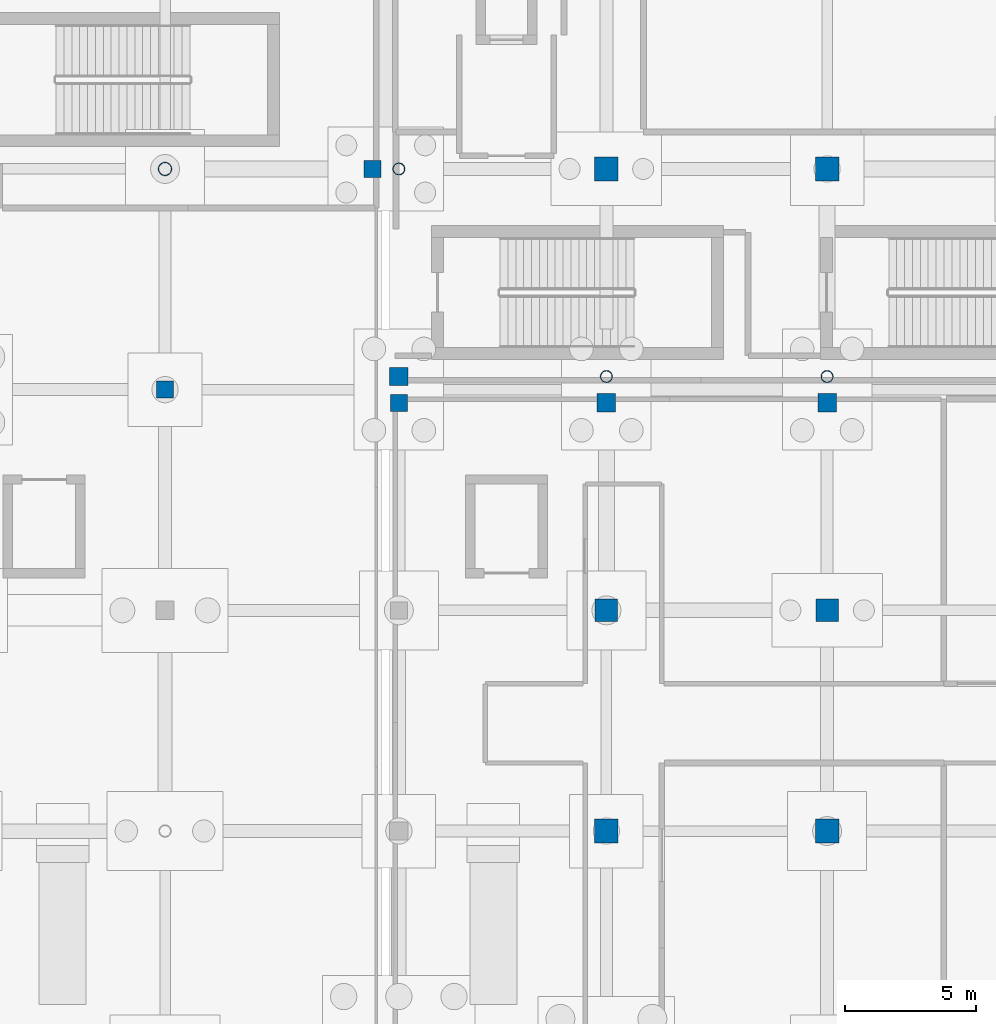
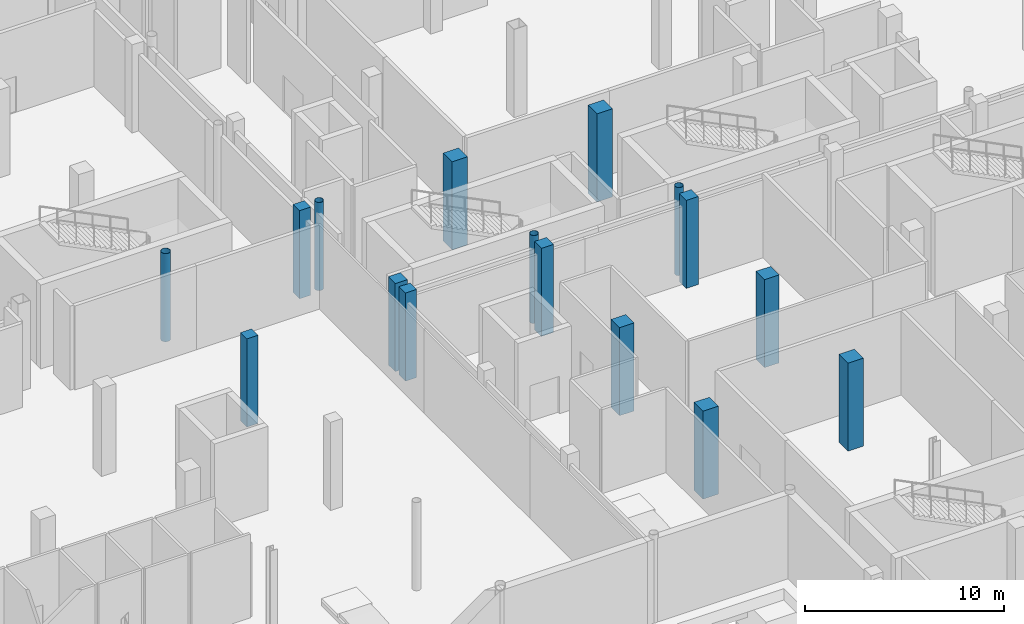
# One storey, part 11 of 49: 16 columns.
"""IFC4 building model written with IfcOpenShell, lengths in metres."""

import ifcopenshell
import ifcopenshell.guid

model = None  # the IFC model being written
_history = None  # IfcOwnerHistory: only IFC2X3 demands one
_inside = {}  # id of a spatial element -> (the spatial element, [elements in it])
_under = {}  # id of a project, library or spatial element -> (it, [spatial elements below it])
_declared = {}  # id of a project -> (the project, [libraries it declares])
_typed = {}  # id of a type object -> (the type object, [elements of that type])
_made_of = {}  # id of a material, layer set ... -> (it, [elements and type objects made of it])


def new_model(schema):
    """Start an empty IFC model of exactly this schema.

    Asked for "IFC4X3", IfcOpenShell would pick the latest addendum, in which some entities
    have other attributes; the version numbers below select the first issue.
    IFC2X3 requires an IfcOwnerHistory on every rooted entity: one is made here for all.
    """
    global model, _history
    if schema == "IFC4X3":
        model = ifcopenshell.file(schema_version=(4, 3, 0, 0))
    else:
        model = ifcopenshell.file(schema=schema)
    _inside.clear()
    _under.clear()
    _declared.clear()
    _typed.clear()
    _made_of.clear()
    _history = None
    if model.schema == "IFC2X3":
        org = make("IfcOrganization", Name="unknown")
        user = make(
            "IfcPersonAndOrganization",
            ThePerson=make("IfcPerson", FamilyName="unknown"),
            TheOrganization=org,
        )
        app = make(
            "IfcApplication",
            ApplicationDeveloper=org,
            Version="unknown",
            ApplicationFullName="unknown",
            ApplicationIdentifier="unknown",
        )
        _history = make(
            "IfcOwnerHistory",
            OwningUser=user,
            OwningApplication=app,
            ChangeAction="ADDED",
            CreationDate=0,
        )
    return model


def make(cls, **values):
    """One entity of the class cls with the attributes given. An attribute that is None is left unset."""
    return model.create_entity(
        cls, **{name: value for name, value in values.items() if value is not None}
    )


def rooted(cls, **values):
    """An entity with a GlobalId (a new one), such as an element, a storey or a relation."""
    return make(cls, GlobalId=ifcopenshell.guid.new(), OwnerHistory=_history, **values)


def si_unit(unit_type, name, prefix=None):
    """IfcSIUnit, for example si_unit("LENGTHUNIT", "METRE", prefix="MILLI")."""
    return make("IfcSIUnit", UnitType=unit_type, Prefix=prefix, Name=name)


def assignment(units):
    """IfcUnitAssignment: the units of a project."""
    return None if units is None else make("IfcUnitAssignment", Units=units)


def point(xyz):
    """IfcCartesianPoint."""
    return None if xyz is None else make("IfcCartesianPoint", Coordinates=xyz)


def direction(xyz):
    """IfcDirection."""
    return None if xyz is None else make("IfcDirection", DirectionRatios=xyz)


def frame(location, z_axis=None, x_axis=None):
    """IfcAxis2Placement3D, a coordinate frame: its origin and axes. An axis left out is left unset."""
    return make(
        "IfcAxis2Placement3D",
        Location=point(location),
        Axis=direction(z_axis),
        RefDirection=direction(x_axis),
    )


def frame_2d(location, x_axis=None):
    """IfcAxis2Placement2D, a coordinate frame in the plane: its origin and x axis."""
    return make(
        "IfcAxis2Placement2D", Location=point(location), RefDirection=direction(x_axis)
    )


def origin():
    """The frame at (0, 0, 0) with its axes left unset."""
    return frame((0.0, 0.0, 0.0))


def origin_2d():
    """The frame at (0, 0) in the plane with its x axis left unset."""
    return frame_2d((0.0, 0.0))


def place(relative_to, where):
    """IfcLocalPlacement: puts the frame where relative to a parent placement (None: the world)."""
    return make(
        "IfcLocalPlacement", PlacementRelTo=relative_to, RelativePlacement=where
    )


def context(
    kind, dimensions, precision=None, world=None, true_north=None, identifier=None
):
    """IfcGeometricRepresentationContext, for example the 3D "Model" context."""
    return make(
        "IfcGeometricRepresentationContext",
        ContextIdentifier=identifier,
        ContextType=kind,
        CoordinateSpaceDimension=dimensions,
        Precision=precision,
        WorldCoordinateSystem=world,
        TrueNorth=true_north,
    )


def subcontext(parent, identifier, kind, view, scale=None):
    """IfcGeometricRepresentationSubContext, for example "Body" below "Model"."""
    return make(
        "IfcGeometricRepresentationSubContext",
        ContextIdentifier=identifier,
        ContextType=kind,
        ParentContext=parent,
        TargetScale=scale,
        TargetView=view,
    )


def project(units=None, contexts=None):
    """IfcProject with its units and contexts."""
    return rooted(
        "IfcProject",
        Name="project",
        RepresentationContexts=contexts,
        UnitsInContext=assignment(units),
    )


def spatial(cls, under=None, at=None, **own):
    """A site, building, storey or space (cls), placed at a placement, below another one or the project."""
    s = rooted(cls, ObjectPlacement=at, **own)
    if under is not None:
        _under.setdefault(under.id(), (under, []))[1].append(s)
    return s


def profile(cls, at=None, kind="AREA", **sizes):
    """A parametric profile (cls). Its sizes go by their IFC names, for example OverallWidth=200.0."""
    return make(cls, ProfileType=kind, Position=at, **sizes)


def rectangle(**sizes):
    """IfcRectangleProfileDef."""
    return profile("IfcRectangleProfileDef", **sizes)


def hollow_circle(**sizes):
    """IfcCircleHollowProfileDef."""
    return profile("IfcCircleHollowProfileDef", **sizes)


def extrude(swept, where, along, depth):
    """IfcExtrudedAreaSolid: the profile swept, set in the frame where, extruded along a direction by depth."""
    return make(
        "IfcExtrudedAreaSolid",
        SweptArea=swept,
        Position=where,
        ExtrudedDirection=direction(along),
        Depth=depth,
    )


def shape(context_of_items, identifier, shape_type, items):
    """IfcShapeRepresentation: the items that make up one representation, for example the "Body"."""
    return make(
        "IfcShapeRepresentation",
        ContextOfItems=context_of_items,
        RepresentationIdentifier=identifier,
        RepresentationType=shape_type,
        Items=items,
    )


def material(Name=None, Category=None):
    """IfcMaterial."""
    return make("IfcMaterial", Name=Name, Category=Category)


def material_profile(
    of_material, cross_section, Name=None, Category=None, Priority=None
):
    """IfcMaterialProfile: a cross section and its material."""
    return make(
        "IfcMaterialProfile",
        Name=Name,
        Material=of_material,
        Profile=cross_section,
        Priority=Priority,
        Category=Category,
    )


def profile_set(profiles, Name=None, composite=None):
    """IfcMaterialProfileSet."""
    return make(
        "IfcMaterialProfileSet",
        Name=Name,
        MaterialProfiles=profiles,
        CompositeProfile=composite,
    )


def made_of(thing, what):
    """Note that an element or type object is made of a material, layer set ...; save() writes the relation."""
    if what is not None:
        _made_of.setdefault(what.id(), (what, []))[1].append(thing)
    return thing


def type_object(cls, material=None, **own):
    """A type object (cls), such as IfcWallType, which elements share."""
    return made_of(rooted(cls, **own), material)


def element(
    cls,
    number,
    at=None,
    inside=None,
    cuts=None,
    type_object=None,
    material=None,
    context=None,
    identifier="Body",
    shape_type=None,
    held_by="IfcProductDefinitionShape",
    body=None,
    shapes=None,
    **own,
):
    """One element of the class cls, such as IfcWall. Its Tag is "e" and its number.

    at: its placement. inside: the storey or other place that contains it. cuts: it is an
    opening in that element (IfcRelVoidsElement). A single representation is given by context,
    identifier, shape_type and body (its items); several are given by shapes. held_by: the class
    of the entity that holds the representations. save() writes the other relations.
    """
    e = rooted(cls, Tag="e%d" % number, ObjectPlacement=at, **own)
    if body is not None:
        shapes = [shape(context, identifier, shape_type, body)]
    if shapes is not None:
        e.Representation = make(held_by, Representations=shapes)
    if inside is not None:
        _inside.setdefault(inside.id(), (inside, []))[1].append(e)
    if cuts is not None:
        rooted(
            "IfcRelVoidsElement", RelatingBuildingElement=cuts, RelatedOpeningElement=e
        )
    if type_object is not None:
        _typed.setdefault(type_object.id(), (type_object, []))[1].append(e)
    return made_of(e, material)


def aggregate(whole, parts):
    """IfcRelAggregates: a whole, such as a stair, and the parts it consists of."""
    return rooted("IfcRelAggregates", RelatingObject=whole, RelatedObjects=parts)


def save(model, path):
    """Write the relations noted so far, then the file.

    IfcRelAggregates (storeys below a building ...), IfcRelContainedInSpatialStructure (elements
    in a storey), IfcRelDefinesByType, IfcRelAssociatesMaterial and IfcRelDeclares: one each for
    every whole, place, type object, material and project.
    """
    for whole, parts in _under.values():
        aggregate(whole, parts)
    for where, things in _inside.values():
        rooted(
            "IfcRelContainedInSpatialStructure",
            RelatedElements=things,
            RelatingStructure=where,
        )
    for kind, things in _typed.values():
        rooted("IfcRelDefinesByType", RelatedObjects=things, RelatingType=kind)
    for what, things in _made_of.values():
        rooted("IfcRelAssociatesMaterial", RelatedObjects=things, RelatingMaterial=what)
    for by, libraries in _declared.values():
        rooted("IfcRelDeclares", RelatingContext=by, RelatedDefinitions=libraries)
    model.write(path)


model = new_model("IFC4")

# Units and contexts
model_context = context("Model", 3, precision=1e-05, world=origin(), true_north=direction((0.0, 1.0)))
body_context = subcontext(model_context, "Body", "Model", "MODEL_VIEW")
ifc_project = project(units=[si_unit("LENGTHUNIT", "METRE"), si_unit("AREAUNIT", "SQUARE_METRE"), si_unit("VOLUMEUNIT", "CUBIC_METRE"), si_unit("PLANEANGLEUNIT", "RADIAN"), si_unit("MASSUNIT", "GRAM", prefix="KILO"), si_unit("THERMODYNAMICTEMPERATUREUNIT", "KELVIN")], contexts=[model_context])

# Site, building, storey
site_placement = place(None, origin())
site = spatial("IfcSite", under=ifc_project, at=site_placement, CompositionType="ELEMENT")
building_placement = place(site_placement, origin())
building = spatial("IfcBuilding", under=site, at=building_placement, Name="Lustrewick Department Store", CompositionType="ELEMENT")
storey_placement = place(building_placement, frame((0.0, 0.0, -5.39990234375)))
storey = spatial("IfcBuildingStorey", under=building, at=storey_placement, Name="B1", CompositionType="ELEMENT", Elevation=-5.39990234375)

# Columns
ifc_material_1 = material(Name="Concrete C50", Category="concrete")
ifc_material_profile_1 = material_profile(ifc_material_1, rectangle(XDim=0.89990234375, YDim=0.89990234375, at=origin_2d()), Name="RC 900x900")
ifc_profile_set_1 = profile_set([ifc_material_profile_1], Name="Concrete C50")
column_type_1 = type_object("IfcColumnType", Name="C17", PredefinedType="COLUMN", material=ifc_profile_set_1)
for number, where, z_axis, x_axis, name in (
    (1, (117.60009765625, 33.60009765625, 0.0), (0.0, 0.0, 1.0), (1.0, 0.0, 0.0), "B1 V3 Column C17"),
    (2, (126.0, 33.60009765625, 0.0), (0.0, 0.0, 1.0), (1.0, 0.0, 0.0), "B1 V3 Column C17"),
    (3, (117.60009765625, 58.800048828125, 0.0), (0.0, 0.0, 1.0), (1.0, 0.0, 0.0), "B1 V4 Column C17"),
    (4, (126.0, 58.800048828125, 0.0), (0.0, 0.0, 1.0), (1.0, 0.0, 0.0), "B1 V4 Column C17"),
):
    element("IfcColumn", number, at=place(storey_placement, frame(where, z_axis=z_axis, x_axis=x_axis)), inside=storey, type_object=column_type_1, Name=name, PredefinedType="COLUMN", context=body_context, shape_type="SweptSolid", body=[
        extrude(rectangle(XDim=0.89990234375, YDim=0.89990234375, at=origin_2d()), origin(), (0.0, 0.0, 1.0), 5.39990234375),
    ])
ifc_material_profile_2 = material_profile(ifc_material_1, rectangle(XDim=0.85009765625, YDim=0.85009765625, at=origin_2d()), Name="RC 850x850")
ifc_profile_set_2 = profile_set([ifc_material_profile_2], Name="Concrete C50")
column_type_2 = type_object("IfcColumnType", Name="C18", PredefinedType="COLUMN", material=ifc_profile_set_2)
for number, where, z_axis, x_axis, name in (
    (5, (117.60009765625, 42.0, 0.0), (0.0, 0.0, 1.0), (1.0, 0.0, 0.0), "B1 V3 Column C18"),
    (6, (126.0, 42.0, 0.0), (0.0, 0.0, 1.0), (1.0, 0.0, 0.0), "B1 V3 Column C18"),
):
    element("IfcColumn", number, at=place(storey_placement, frame(where, z_axis=z_axis, x_axis=x_axis)), inside=storey, type_object=column_type_2, Name=name, PredefinedType="COLUMN", context=body_context, shape_type="SweptSolid", body=[
        extrude(rectangle(XDim=0.85009765625, YDim=0.85009765625, at=origin_2d()), origin(), (0.0, 0.0, 1.0), 5.39990234375),
    ])
ifc_material_2 = material(Name="Structural steel Q355C", Category="steel")
ifc_material_profile_3 = material_profile(ifc_material_2, hollow_circle(Radius=0.25390625, WallThickness=0.01611328125, at=origin_2d()), Name="CHS 508x16")
ifc_profile_set_3 = profile_set([ifc_material_profile_3], Name="Structural steel Q355C")
column_type_3 = type_object("IfcColumnType", Name="CE01", PredefinedType="COLUMN", material=ifc_profile_set_3)
column_placement = place(storey_placement, frame((100.800048828125, 58.800048828125, 0.0), z_axis=(0.0, 0.0, 1.0), x_axis=(1.0, 0.0, 0.0)))
element("IfcColumn", 7, at=column_placement, inside=storey, type_object=column_type_3, Name="B1 V2 Column CE01", PredefinedType="COLUMN", context=body_context, shape_type="SweptSolid", body=[
    extrude(hollow_circle(Radius=0.25390625, WallThickness=0.01611328125, at=origin_2d()), origin(), (0.0, 0.0, 1.0), 5.39990234375),
])
ifc_material_profile_4 = material_profile(ifc_material_2, hollow_circle(Radius=0.228515625, WallThickness=0.01611328125, at=origin_2d()), Name="CHS 457x16")
ifc_profile_set_4 = profile_set([ifc_material_profile_4], Name="Structural steel Q355C")
column_type_4 = type_object("IfcColumnType", Name="CE02", PredefinedType="COLUMN", material=ifc_profile_set_4)
for number, where, z_axis, x_axis, name in (
    (8, (109.699951171875, 58.800048828125, 0.0), (0.0, 0.0, 1.0), (1.0, 0.0, 0.0), "B1 V4 Column CE02"),
    (9, (117.60009765625, 50.89990234375, 0.0), (0.0, 0.0, 1.0), (1.0, 0.0, 0.0), "B1 V4 Column CE02"),
    (10, (126.0, 50.89990234375, 0.0), (0.0, 0.0, 1.0), (1.0, 0.0, 0.0), "B1 V4 Column CE02"),
):
    element("IfcColumn", number, at=place(storey_placement, frame(where, z_axis=z_axis, x_axis=x_axis)), inside=storey, type_object=column_type_4, Name=name, PredefinedType="COLUMN", context=body_context, shape_type="SweptSolid", body=[
        extrude(hollow_circle(Radius=0.228515625, WallThickness=0.01611328125, at=origin_2d()), origin(), (0.0, 0.0, 1.0), 5.39990234375),
    ])
ifc_material_3 = material(Name="Concrete C40", Category="concrete")
ifc_material_profile_5 = material_profile(ifc_material_3, rectangle(XDim=0.699951171875, YDim=0.699951171875, at=origin_2d()), Name="RC 700x700")
ifc_profile_set_5 = profile_set([ifc_material_profile_5], Name="Concrete C40")
column_type_5 = type_object("IfcColumnType", Name="CE06", PredefinedType="COLUMN", material=ifc_profile_set_5)
for number, where, z_axis, x_axis, name in (
    (11, (117.60009765625, 49.89990234375, 0.0), (0.0, 0.0, 1.0), (1.0, 0.0, 0.0), "B1 V3 Column CE06"),
    (12, (126.0, 49.89990234375, 0.0), (0.0, 0.0, 1.0), (1.0, 0.0, 0.0), "B1 V3 Column CE06"),
    (13, (109.699951171875, 50.89990234375, 0.0), (0.0, 0.0, 1.0), (1.0, 0.0, 0.0), "B1 V4 Column CE06"),
):
    element("IfcColumn", number, at=place(storey_placement, frame(where, z_axis=z_axis, x_axis=x_axis)), inside=storey, type_object=column_type_5, Name=name, PredefinedType="COLUMN", context=body_context, shape_type="SweptSolid", body=[
        extrude(rectangle(XDim=0.699951171875, YDim=0.699951171875, at=origin_2d()), origin(), (0.0, 0.0, 1.0), 5.39990234375),
    ])
ifc_material_profile_6 = material_profile(ifc_material_3, rectangle(XDim=0.64990234375, YDim=0.64990234375, at=origin_2d()), Name="RC 650x650")
ifc_profile_set_6 = profile_set([ifc_material_profile_6], Name="Concrete C40")
column_type_6 = type_object("IfcColumnType", Name="CE07", PredefinedType="COLUMN", material=ifc_profile_set_6)
for number, where, z_axis, x_axis, name in (
    (14, (100.800048828125, 50.39990234375, 0.0), (0.0, 0.0, 1.0), (1.0, 0.0, 0.0), "B1 V2 Column CE07"),
    (15, (108.699951171875, 58.800048828125, 0.0), (0.0, 0.0, 1.0), (1.0, 0.0, 0.0), "B1 V2 Column CE07"),
    (16, (109.699951171875, 49.89990234375, 0.0), (0.0, 0.0, 1.0), (1.0, 0.0, 0.0), "B1 V3 Column CE07"),
):
    element("IfcColumn", number, at=place(storey_placement, frame(where, z_axis=z_axis, x_axis=x_axis)), inside=storey, type_object=column_type_6, Name=name, PredefinedType="COLUMN", context=body_context, shape_type="SweptSolid", body=[
        extrude(rectangle(XDim=0.64990234375, YDim=0.64990234375, at=origin_2d()), origin(), (0.0, 0.0, 1.0), 5.39990234375),
    ])

save(model, "model.ifc")
